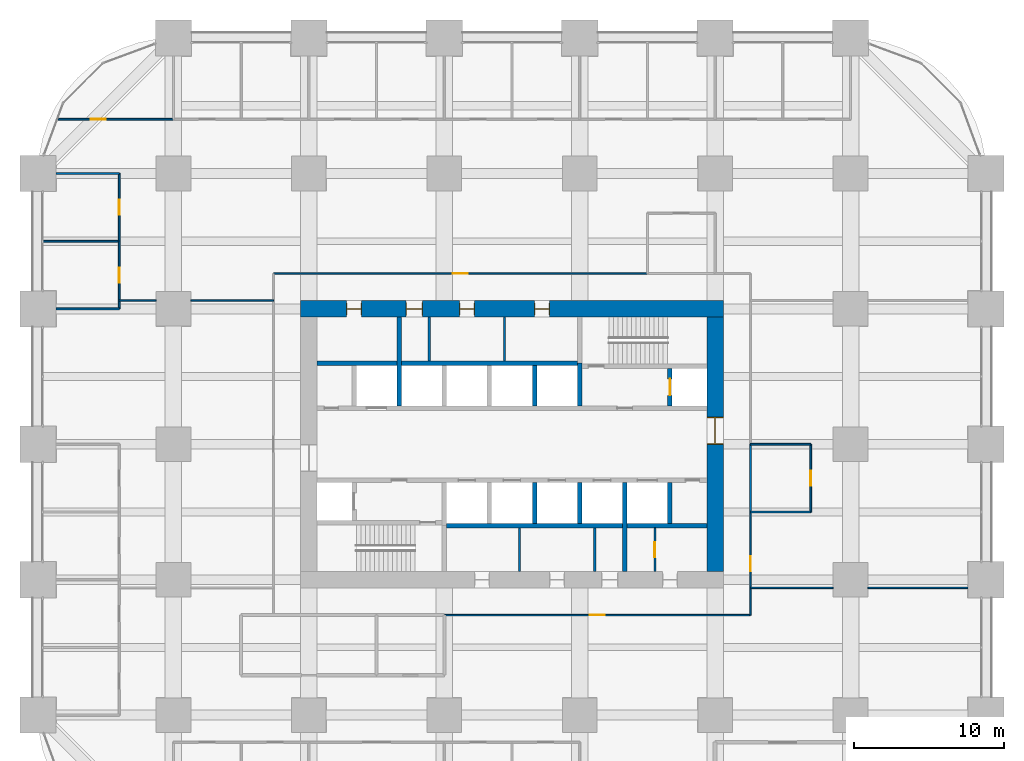
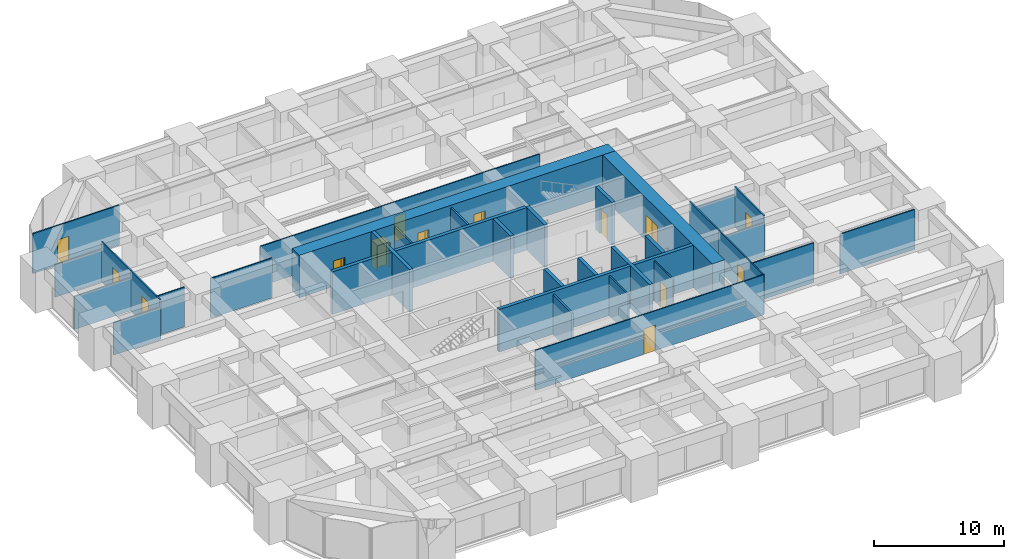
# One storey, part 41 of 44: 34 walls, 14 doors, 14 openings.
"""IFC4 building model written with IfcOpenShell, lengths in metres."""

from ifc_helpers import new_model, si_unit, direction, frame, frame_2d, origin, place, context, subcontext, project, spatial, rectangle, extrude, material, layer, layer_set, type_object, element, fill, save


model = new_model("IFC4")

# Units and contexts
model_context = context("Model", 3, precision=1e-05, world=origin(), true_north=direction((0.0, 1.0)))
body_context = subcontext(model_context, "Body", "Model", "MODEL_VIEW")
ifc_project = project(units=[si_unit("LENGTHUNIT", "METRE"), si_unit("AREAUNIT", "SQUARE_METRE"), si_unit("VOLUMEUNIT", "CUBIC_METRE"), si_unit("PLANEANGLEUNIT", "RADIAN"), si_unit("MASSUNIT", "GRAM", prefix="KILO")], contexts=[model_context])

# Site, building, storey
site_placement = place(None, origin())
site = spatial("IfcSite", under=ifc_project, at=site_placement, CompositionType="ELEMENT")
building_placement = place(site_placement, origin())
building = spatial("IfcBuilding", under=site, at=building_placement, Name="Zorevar Civic Tower", CompositionType="ELEMENT")
storey_placement = place(building_placement, frame((0.0, 0.0, 31.800048828125)))
storey = spatial("IfcBuildingStorey", under=building, at=storey_placement, Name="L07", CompositionType="ELEMENT", Elevation=31.800048828125)

# Wall, openings, doors
ifc_material_1 = material(Name="Concrete C50/60", Category="concrete")
ifc_layer_1 = layer(ifc_material_1, 1.10009765625)
ifc_layer_set_1 = layer_set([ifc_layer_1], Name="Core wall 1100")
wall_type_1 = type_object("IfcWallType", Name="Core wall 1100", PredefinedType="SHEAR", material=ifc_layer_set_1)
wall_1_placement = place(storey_placement, frame((45.550048828125, 36.0, 0.0), z_axis=(0.0, 0.0, 1.0), x_axis=(-1.0, 0.0, 0.0)))
wall_1 = element("IfcWall", 1, at=wall_1_placement, inside=storey, type_object=wall_type_1, Name="Core wall N L07", PredefinedType="SHEAR", context=body_context, shape_type="SweptSolid", body=[
    extrude(rectangle(XDim=28.10009765625, YDim=1.10009765625, at=frame_2d((14.050048828125, 0.0))), origin(), (0.0, 0.0, 1.0), 4.0),
])
opening_1_placement = place(wall_1_placement, frame((11.550048828125, 0.0, 0.0)))
opening_1 = element("IfcOpeningElement", 2, at=opening_1_placement, cuts=wall_1, Name="Opening L07.07", PredefinedType="OPENING", context=body_context, shape_type="SweptSolid", body=[
    extrude(rectangle(XDim=1.0, YDim=2.39990234375, at=frame_2d((0.5, 1.199951171875))), frame((0.0, 0.56005859375, 0.0), z_axis=(0.0, -1.0, 0.0), x_axis=(1.0, 0.0, 0.0)), (0.0, 0.0, 1.0), 1.1201171875),
])
opening_2_placement = place(wall_1_placement, frame((16.550048828125, 0.0, 0.0)))
opening_2 = element("IfcOpeningElement", 3, at=opening_2_placement, cuts=wall_1, Name="Opening L07.08", PredefinedType="OPENING", context=body_context, shape_type="SweptSolid", body=[
    extrude(rectangle(XDim=1.0, YDim=2.39990234375, at=frame_2d((0.5, 1.199951171875))), frame((0.0, 0.56005859375, 0.0), z_axis=(0.0, -1.0, 0.0), x_axis=(1.0, 0.0, 0.0)), (0.0, 0.0, 1.0), 1.1201171875),
])
opening_3_placement = place(wall_1_placement, frame((20.0, 0.0, 0.0)))
opening_3 = element("IfcOpeningElement", 4, at=opening_3_placement, cuts=wall_1, Name="Opening L07.09", PredefinedType="OPENING", context=body_context, shape_type="SweptSolid", body=[
    extrude(rectangle(XDim=1.10009765625, YDim=2.39990234375, at=frame_2d((0.550048828125, 1.199951171875))), frame((0.0, 0.56005859375, 0.0), z_axis=(0.0, -1.0, 0.0), x_axis=(1.0, 0.0, 0.0)), (0.0, 0.0, 1.0), 1.1201171875),
])
opening_4_placement = place(wall_1_placement, frame((24.050048828125, 0.0, 0.0)))
opening_4 = element("IfcOpeningElement", 5, at=opening_4_placement, cuts=wall_1, Name="Opening L07.10", PredefinedType="OPENING", context=body_context, shape_type="SweptSolid", body=[
    extrude(rectangle(XDim=1.0, YDim=2.39990234375, at=frame_2d((0.5, 1.199951171875))), frame((0.0, 0.56005859375, 0.0), z_axis=(0.0, -1.0, 0.0), x_axis=(1.0, 0.0, 0.0)), (0.0, 0.0, 1.0), 1.1201171875),
])
ifc_material_2 = material(Name="Timber door set", Category="wood")
door_type_1 = type_object("IfcDoorType", Name="Door D1 1000x2400", OperationType="SINGLE_SWING_LEFT", PredefinedType="DOOR", material=ifc_material_2)
door_1_placement = place(opening_1_placement, origin())
door_1 = element("IfcDoor", 6, at=door_1_placement, inside=storey, type_object=door_type_1, Name="Door L07 06", OperationType="SINGLE_SWING_RIGHT", OverallHeight=2.39990234375, OverallWidth=1.0, PredefinedType="DOOR", context=body_context, shape_type="SweptSolid", body=[
    extrude(rectangle(XDim=1.0, YDim=2.39990234375, at=frame_2d((0.5, 1.199951171875))), frame((0.0, 0.02490234375, 0.0), z_axis=(0.0, -1.0, 0.0), x_axis=(1.0, 0.0, 0.0)), (0.0, 0.0, 1.0), 0.050048828125),
    extrude(rectangle(XDim=0.04, YDim=2.39990234375, at=frame_2d((0.02001953125, 1.199951171875))), frame((0.0, 0.39990234375, 0.0), z_axis=(0.0, -1.0, 0.0), x_axis=(1.0, 0.0, 0.0)), (0.0, 0.0, 1.0), 0.800048828125),
    extrude(rectangle(XDim=0.04, YDim=2.39990234375, at=frame_2d((0.97998046875, 1.199951171875))), frame((0.0, 0.39990234375, 0.0), z_axis=(0.0, -1.0, 0.0), x_axis=(1.0, 0.0, 0.0)), (0.0, 0.0, 1.0), 0.800048828125),
    extrude(rectangle(XDim=1.0, YDim=0.04, at=frame_2d((0.5, 2.3798828125))), frame((0.0, 0.39990234375, 0.0), z_axis=(0.0, -1.0, 0.0), x_axis=(1.0, 0.0, 0.0)), (0.0, 0.0, 1.0), 0.800048828125),
])
fill(opening_1, door_1)
door_2_placement = place(opening_2_placement, origin())
door_2 = element("IfcDoor", 7, at=door_2_placement, inside=storey, type_object=door_type_1, Name="Door L07 07", OperationType="SINGLE_SWING_LEFT", OverallHeight=2.39990234375, OverallWidth=1.0, PredefinedType="DOOR", context=body_context, shape_type="SweptSolid", body=[
    extrude(rectangle(XDim=1.0, YDim=2.39990234375, at=frame_2d((0.5, 1.199951171875))), frame((0.0, 0.02490234375, 0.0), z_axis=(0.0, -1.0, 0.0), x_axis=(1.0, 0.0, 0.0)), (0.0, 0.0, 1.0), 0.050048828125),
    extrude(rectangle(XDim=0.04, YDim=2.39990234375, at=frame_2d((0.02001953125, 1.199951171875))), frame((0.0, 0.39990234375, 0.0), z_axis=(0.0, -1.0, 0.0), x_axis=(1.0, 0.0, 0.0)), (0.0, 0.0, 1.0), 0.800048828125),
    extrude(rectangle(XDim=0.04, YDim=2.39990234375, at=frame_2d((0.97998046875, 1.199951171875))), frame((0.0, 0.39990234375, 0.0), z_axis=(0.0, -1.0, 0.0), x_axis=(1.0, 0.0, 0.0)), (0.0, 0.0, 1.0), 0.800048828125),
    extrude(rectangle(XDim=1.0, YDim=0.04, at=frame_2d((0.5, 2.3798828125))), frame((0.0, 0.39990234375, 0.0), z_axis=(0.0, -1.0, 0.0), x_axis=(1.0, 0.0, 0.0)), (0.0, 0.0, 1.0), 0.800048828125),
])
fill(opening_2, door_2)
door_3_placement = place(opening_4_placement, origin())
door_3 = element("IfcDoor", 8, at=door_3_placement, inside=storey, type_object=door_type_1, Name="Door L07 09", OperationType="SINGLE_SWING_LEFT", OverallHeight=2.39990234375, OverallWidth=1.0, PredefinedType="DOOR", context=body_context, shape_type="SweptSolid", body=[
    extrude(rectangle(XDim=1.0, YDim=2.39990234375, at=frame_2d((0.5, 1.199951171875))), frame((0.0, 0.02490234375, 0.0), z_axis=(0.0, -1.0, 0.0), x_axis=(1.0, 0.0, 0.0)), (0.0, 0.0, 1.0), 0.050048828125),
    extrude(rectangle(XDim=0.04, YDim=2.39990234375, at=frame_2d((0.02001953125, 1.199951171875))), frame((0.0, 0.39990234375, 0.0), z_axis=(0.0, -1.0, 0.0), x_axis=(1.0, 0.0, 0.0)), (0.0, 0.0, 1.0), 0.800048828125),
    extrude(rectangle(XDim=0.04, YDim=2.39990234375, at=frame_2d((0.97998046875, 1.199951171875))), frame((0.0, 0.39990234375, 0.0), z_axis=(0.0, -1.0, 0.0), x_axis=(1.0, 0.0, 0.0)), (0.0, 0.0, 1.0), 0.800048828125),
    extrude(rectangle(XDim=1.0, YDim=0.04, at=frame_2d((0.5, 2.3798828125))), frame((0.0, 0.39990234375, 0.0), z_axis=(0.0, -1.0, 0.0), x_axis=(1.0, 0.0, 0.0)), (0.0, 0.0, 1.0), 0.800048828125),
])
fill(opening_4, door_3)
ifc_material_3 = material(Name="Timber door set", Category="wood")
door_type_2 = type_object("IfcDoorType", Name="Door D5 1100x2400", OperationType="SINGLE_SWING_LEFT", PredefinedType="DOOR", material=ifc_material_3)
door_4_placement = place(opening_3_placement, origin())
door_4 = element("IfcDoor", 9, at=door_4_placement, inside=storey, type_object=door_type_2, Name="Door L07 08", OperationType="SINGLE_SWING_LEFT", OverallHeight=2.39990234375, OverallWidth=1.10009765625, PredefinedType="DOOR", context=body_context, shape_type="SweptSolid", body=[
    extrude(rectangle(XDim=1.10009765625, YDim=2.39990234375, at=frame_2d((0.550048828125, 1.199951171875))), frame((0.0, 0.02490234375, 0.0), z_axis=(0.0, -1.0, 0.0), x_axis=(1.0, 0.0, 0.0)), (0.0, 0.0, 1.0), 0.050048828125),
    extrude(rectangle(XDim=0.04, YDim=2.39990234375, at=frame_2d((0.02001953125, 1.199951171875))), frame((0.0, 0.43994140625, 0.0), z_axis=(0.0, -1.0, 0.0), x_axis=(1.0, 0.0, 0.0)), (0.0, 0.0, 1.0), 0.880126953125),
    extrude(rectangle(XDim=0.04, YDim=2.39990234375, at=frame_2d((1.080078125, 1.199951171875))), frame((0.0, 0.43994140625, 0.0), z_axis=(0.0, -1.0, 0.0), x_axis=(1.0, 0.0, 0.0)), (0.0, 0.0, 1.0), 0.880126953125),
    extrude(rectangle(XDim=1.10009765625, YDim=0.04, at=frame_2d((0.550048828125, 2.3798828125))), frame((0.0, 0.43994140625, 0.0), z_axis=(0.0, -1.0, 0.0), x_axis=(1.0, 0.0, 0.0)), (0.0, 0.0, 1.0), 0.880126953125),
])
fill(opening_3, door_4)

# Wall, opening, door
wall_2_placement = place(storey_placement, frame((45.0, 18.550048828125, 0.0), z_axis=(0.0, 0.0, 1.0), x_axis=(0.0, 1.0, 0.0)))
wall_2 = element("IfcWall", 10, at=wall_2_placement, inside=storey, type_object=wall_type_1, Name="Core wall E L07", PredefinedType="SHEAR", context=body_context, shape_type="SweptSolid", body=[
    extrude(rectangle(XDim=16.89990234375, YDim=1.10009765625, at=frame_2d((8.449951171875, 0.0))), origin(), (0.0, 0.0, 1.0), 4.0),
])
opening_5_placement = place(wall_2_placement, frame((8.449951171875, 0.0, 0.0)))
opening_5 = element("IfcOpeningElement", 11, at=opening_5_placement, cuts=wall_2, Name="Opening L07.02", PredefinedType="OPENING", context=body_context, shape_type="SweptSolid", body=[
    extrude(rectangle(XDim=1.800048828125, YDim=2.39990234375, at=frame_2d((0.89990234375, 1.199951171875))), frame((0.0, 0.56005859375, 0.0), z_axis=(0.0, -1.0, 0.0), x_axis=(1.0, 0.0, 0.0)), (0.0, 0.0, 1.0), 1.1201171875),
])
ifc_material_4 = material(Name="Steel door set", Category="steel")
door_type_3 = type_object("IfcDoorType", Name="Fire door FD2 1800x2400", OperationType="DOUBLE_DOOR_DOUBLE_SWING", PredefinedType="DOOR", material=ifc_material_4)
door_5_placement = place(opening_5_placement, origin())
door_5 = element("IfcDoor", 12, at=door_5_placement, inside=storey, type_object=door_type_3, Name="Door L07 01", OperationType="DOUBLE_DOOR_DOUBLE_SWING", OverallHeight=2.39990234375, OverallWidth=1.800048828125, PredefinedType="DOOR", context=body_context, shape_type="SweptSolid", body=[
    extrude(rectangle(XDim=1.800048828125, YDim=2.39990234375, at=frame_2d((0.89990234375, 1.199951171875))), frame((0.0, 0.030029296875, 0.0), z_axis=(0.0, -1.0, 0.0), x_axis=(1.0, 0.0, 0.0)), (0.0, 0.0, 1.0), 0.06005859375),
    extrude(rectangle(XDim=0.04, YDim=2.39990234375, at=frame_2d((0.02001953125, 1.199951171875))), frame((0.0, 0.5498046875, 0.0), z_axis=(0.0, -1.0, 0.0), x_axis=(1.0, 0.0, 0.0)), (0.0, 0.0, 1.0), 1.099609375),
    extrude(rectangle(XDim=0.04, YDim=2.39990234375, at=frame_2d((1.780029296875, 1.199951171875))), frame((0.0, 0.5498046875, 0.0), z_axis=(0.0, -1.0, 0.0), x_axis=(1.0, 0.0, 0.0)), (0.0, 0.0, 1.0), 1.099609375),
    extrude(rectangle(XDim=1.800048828125, YDim=0.04, at=frame_2d((0.89990234375, 2.3798828125))), frame((0.0, 0.5498046875, 0.0), z_axis=(0.0, -1.0, 0.0), x_axis=(1.0, 0.0, 0.0)), (0.0, 0.0, 1.0), 1.099609375),
])
fill(opening_5, door_5)

ifc_material_5 = material(Name="Laminated glass in black aluminium frame", Category="aluminium")
ifc_layer_2 = layer(ifc_material_5, 0.10009765625)
ifc_layer_set_2 = layer_set([ifc_layer_2], Name="Glazed partition 100")
wall_type_2 = type_object("IfcWallType", Name="Glazed partition 100", PredefinedType="PARTITIONING", material=ifc_layer_set_2)
wall_3_placement = place(storey_placement, frame((27.0, 15.64990234375, 0.0), z_axis=(0.0, 0.0, 1.0), x_axis=(1.0, 0.0, 0.0)))
wall_3 = element("IfcWall", 13, at=wall_3_placement, inside=storey, type_object=wall_type_2, Name="Glazed partition 100 L07", PredefinedType="PARTITIONING", context=body_context, shape_type="SweptSolid", body=[
    extrude(rectangle(XDim=20.35009765625, YDim=0.10009765625, at=frame_2d((10.175048828125, 0.0))), origin(), (0.0, 0.0, 1.0), 3.75),
])
opening_6_placement = place(wall_3_placement, frame((9.675048828125, 0.0, 0.0)))
opening_6 = element("IfcOpeningElement", 14, at=opening_6_placement, cuts=wall_3, Name="Opening L07.26", PredefinedType="OPENING", context=body_context, shape_type="SweptSolid", body=[
    extrude(rectangle(XDim=1.0, YDim=2.39990234375, at=frame_2d((0.5, 1.199951171875))), frame((0.0, 0.06005859375, 0.0), z_axis=(0.0, -1.0, 0.0), x_axis=(1.0, 0.0, 0.0)), (0.0, 0.0, 1.0), 0.1201171875),
])
ifc_material_6 = material(Name="Timber door set", Category="wood")
door_type_4 = type_object("IfcDoorType", Name="Glazed door GD1 1000x2400", OperationType="SINGLE_SWING_LEFT", PredefinedType="DOOR", material=ifc_material_6)
door_6_placement = place(opening_6_placement, origin())
door_6 = element("IfcDoor", 15, at=door_6_placement, inside=storey, type_object=door_type_4, Name="Door L07 D1", OperationType="SINGLE_SWING_LEFT", OverallHeight=2.39990234375, OverallWidth=1.0, PredefinedType="DOOR", context=body_context, shape_type="SweptSolid", body=[
    extrude(rectangle(XDim=1.0, YDim=2.39990234375, at=frame_2d((0.5, 1.199951171875))), frame((0.0, 0.02001953125, 0.0), z_axis=(0.0, -1.0, 0.0), x_axis=(1.0, 0.0, 0.0)), (0.0, 0.0, 1.0), 0.0400390625),
])
fill(opening_6, door_6)

# Walls
wall_4_placement = place(storey_placement, frame((47.35009765625, 17.449951171875, 0.0), z_axis=(0.0, 0.0, 1.0), x_axis=(1.0, 0.0, 0.0)))
element("IfcWall", 16, at=wall_4_placement, inside=storey, type_object=wall_type_2, Name="Glazed partition 100 L07", PredefinedType="PARTITIONING", context=body_context, shape_type="SweptSolid", body=[
    extrude(rectangle(XDim=5.5, YDim=0.10009765625, at=frame_2d((2.75, 0.0))), origin(), (0.0, 0.0, 1.0), 3.75),
])
wall_5_placement = place(storey_placement, frame((55.14990234375, 17.449951171875, 0.0), z_axis=(0.0, 0.0, 1.0), x_axis=(1.0, 0.0, 0.0)))
element("IfcWall", 17, at=wall_5_placement, inside=storey, type_object=wall_type_2, Name="Glazed partition 100 L07", PredefinedType="PARTITIONING", context=body_context, shape_type="SweptSolid", body=[
    extrude(rectangle(XDim=6.650146484375, YDim=0.10009765625, at=frame_2d((3.3251953125, 0.0))), origin(), (0.0, 0.0, 1.0), 3.75),
])
wall_6_placement = place(storey_placement, frame((5.389892578125, 36.550048828125, 0.0), z_axis=(0.0, 0.0, 1.0), x_axis=(1.0, 0.0, 0.0)))
element("IfcWall", 18, at=wall_6_placement, inside=storey, type_object=wall_type_2, Name="Glazed partition 100 L07", PredefinedType="PARTITIONING", context=body_context, shape_type="SweptSolid", body=[
    extrude(rectangle(XDim=2.460205078125, YDim=0.10009765625, at=frame_2d((1.22998046875, 0.0))), origin(), (0.0, 0.0, 1.0), 3.75),
])
wall_7_placement = place(storey_placement, frame((10.14990234375, 36.550048828125, 0.0), z_axis=(0.0, 0.0, 1.0), x_axis=(1.0, 0.0, 0.0)))
element("IfcWall", 19, at=wall_7_placement, inside=storey, type_object=wall_type_2, Name="Glazed partition 100 L07", PredefinedType="PARTITIONING", context=body_context, shape_type="SweptSolid", body=[
    extrude(rectangle(XDim=5.5, YDim=0.10009765625, at=frame_2d((2.75, 0.0))), origin(), (0.0, 0.0, 1.0), 3.75),
])

# Wall, opening, door
wall_8_placement = place(storey_placement, frame((15.64990234375, 38.35009765625, 0.0), z_axis=(0.0, 0.0, 1.0), x_axis=(1.0, 0.0, 0.0)))
wall_8 = element("IfcWall", 20, at=wall_8_placement, inside=storey, type_object=wall_type_2, Name="Glazed partition 100 L07", PredefinedType="PARTITIONING", context=body_context, shape_type="SweptSolid", body=[
    extrude(rectangle(XDim=24.85009765625, YDim=0.10009765625, at=frame_2d((12.425048828125, 0.0))), origin(), (0.0, 0.0, 1.0), 3.75),
])
opening_7_placement = place(wall_8_placement, frame((11.925048828125, 0.0, 0.0)))
opening_7 = element("IfcOpeningElement", 21, at=opening_7_placement, cuts=wall_8, Name="Opening L07.27", PredefinedType="OPENING", context=body_context, shape_type="SweptSolid", body=[
    extrude(rectangle(XDim=1.0, YDim=2.39990234375, at=frame_2d((0.5, 1.199951171875))), frame((0.0, 0.06005859375, 0.0), z_axis=(0.0, -1.0, 0.0), x_axis=(1.0, 0.0, 0.0)), (0.0, 0.0, 1.0), 0.1201171875),
])
door_7_placement = place(opening_7_placement, origin())
door_7 = element("IfcDoor", 22, at=door_7_placement, inside=storey, type_object=door_type_4, Name="Door L07 D1", OperationType="SINGLE_SWING_LEFT", OverallHeight=2.39990234375, OverallWidth=1.0, PredefinedType="DOOR", context=body_context, shape_type="SweptSolid", body=[
    extrude(rectangle(XDim=1.0, YDim=2.39990234375, at=frame_2d((0.5, 1.199951171875))), frame((0.0, 0.02001953125, 0.0), z_axis=(0.0, -1.0, 0.0), x_axis=(1.0, 0.0, 0.0)), (0.0, 0.0, 1.0), 0.0400390625),
])
fill(opening_7, door_7)

wall_9_placement = place(storey_placement, frame((47.35009765625, 15.64990234375, 0.0), z_axis=(0.0, 0.0, 1.0), x_axis=(0.0, 1.0, 0.0)))
wall_9 = element("IfcWall", 23, at=wall_9_placement, inside=storey, type_object=wall_type_2, Name="Glazed partition 100 L07", PredefinedType="PARTITIONING", context=body_context, shape_type="SweptSolid", body=[
    extrude(rectangle(XDim=6.85009765625, YDim=0.10009765625, at=frame_2d((3.425048828125, 0.0))), origin(), (0.0, 0.0, 1.0), 3.75),
])
opening_8_placement = place(wall_9_placement, frame((2.925048828125, 0.0, 0.0)))
opening_8 = element("IfcOpeningElement", 24, at=opening_8_placement, cuts=wall_9, Name="Opening L07.47", PredefinedType="OPENING", context=body_context, shape_type="SweptSolid", body=[
    extrude(rectangle(XDim=1.0, YDim=2.39990234375, at=frame_2d((0.5, 1.199951171875))), frame((0.0, 0.06005859375, 0.0), z_axis=(0.0, -1.0, 0.0), x_axis=(1.0, 0.0, 0.0)), (0.0, 0.0, 1.0), 0.1201171875),
])
door_8_placement = place(opening_8_placement, origin())
door_8 = element("IfcDoor", 25, at=door_8_placement, inside=storey, type_object=door_type_4, Name="Door L07 D1", OperationType="SINGLE_SWING_LEFT", OverallHeight=2.39990234375, OverallWidth=1.0, PredefinedType="DOOR", context=body_context, shape_type="SweptSolid", body=[
    extrude(rectangle(XDim=1.0, YDim=2.39990234375, at=frame_2d((0.5, 1.199951171875))), frame((0.0, 0.02001953125, 0.0), z_axis=(0.0, -1.0, 0.0), x_axis=(1.0, 0.0, 0.0)), (0.0, 0.0, 1.0), 0.0400390625),
])
fill(opening_8, door_8)

ifc_material_7 = material(Name="Concrete C40/50", Category="concrete")
ifc_layer_3 = layer(ifc_material_7, 0.300048828125)
ifc_layer_set_3 = layer_set([ifc_layer_3], Name="Inner core wall 300")
wall_type_3 = type_object("IfcWallType", Name="Inner core wall 300", PredefinedType="SHEAR", material=ifc_layer_set_3)
wall_10_placement = place(storey_placement, frame((42.0, 29.550048828125, 0.0), z_axis=(0.0, 0.0, 1.0), x_axis=(0.0, 1.0, 0.0)))
wall_10 = element("IfcWall", 26, at=wall_10_placement, inside=storey, type_object=wall_type_3, Name="Inner core wall N02 L07", PredefinedType="SHEAR", context=body_context, shape_type="SweptSolid", body=[
    extrude(rectangle(XDim=2.5, YDim=0.300048828125, at=frame_2d((1.25, 0.0))), origin(), (0.0, 0.0, 1.0), 4.0),
])
opening_9_placement = place(wall_10_placement, frame((0.699951171875, 0.0, 0.0)))
opening_9 = element("IfcOpeningElement", 27, at=opening_9_placement, cuts=wall_10, Name="Opening L07.FL2", PredefinedType="OPENING", context=body_context, shape_type="SweptSolid", body=[
    extrude(rectangle(XDim=1.10009765625, YDim=2.39990234375, at=frame_2d((0.550048828125, 1.199951171875))), frame((0.0, 0.159912109375, 0.0), z_axis=(0.0, -1.0, 0.0), x_axis=(1.0, 0.0, 0.0)), (0.0, 0.0, 1.0), 0.320068359375),
])
ifc_material_8 = material(Name="Steel door set", Category="steel")
door_type_5 = type_object("IfcDoorType", Name="Firefighting lift landing door LD3 1100x2400", OperationType="DOUBLE_DOOR_SLIDING", PredefinedType="DOOR", material=ifc_material_8)
door_9_placement = place(opening_9_placement, origin())
door_9 = element("IfcDoor", 28, at=door_9_placement, inside=storey, type_object=door_type_5, Name="Landing door FL2 L07", OperationType="DOUBLE_DOOR_SLIDING", OverallHeight=2.39990234375, OverallWidth=1.10009765625, PredefinedType="DOOR", context=body_context, shape_type="SweptSolid", body=[
    extrude(rectangle(XDim=1.10009765625, YDim=2.39990234375, at=frame_2d((0.550048828125, 1.199951171875))), frame((0.0, 0.030029296875, 0.0), z_axis=(0.0, -1.0, 0.0), x_axis=(1.0, 0.0, 0.0)), (0.0, 0.0, 1.0), 0.06005859375),
])
fill(opening_9, door_9)

# Walls
for number, where, z_axis, x_axis, name in (
    (29, (27.14990234375, 21.60009765625, 0.0), (0.0, 0.0, 1.0), (1.0, 0.0, 0.0), "Inner core wall S04 L07"),
    (30, (18.550048828125, 32.39990234375, 0.0), (0.0, 0.0, 1.0), (1.0, 0.0, 0.0), "Inner core wall N04 L07"),
):
    element("IfcWall", number, at=place(storey_placement, frame(where, z_axis=z_axis, x_axis=x_axis)), inside=storey, type_object=wall_type_3, Name=name, PredefinedType="SHEAR", context=body_context, shape_type="SweptSolid", body=[
        extrude(rectangle(XDim=17.300048828125, YDim=0.300048828125, at=frame_2d((8.64990234375, 0.0))), origin(), (0.0, 0.0, 1.0), 4.0),
    ])
for number, where, z_axis, x_axis, name in (
    (31, (33.0, 29.550048828125, 0.0), (0.0, 0.0, 1.0), (0.0, 1.0, 0.0), "Inner core wall N05 L07"),
    (32, (33.0, 21.75, 0.0), (0.0, 0.0, 1.0), (0.0, 1.0, 0.0), "Inner core wall S06 L07"),
    (33, (36.0, 21.75, 0.0), (0.0, 0.0, 1.0), (0.0, 1.0, 0.0), "Inner core wall S07 L07"),
):
    element("IfcWall", number, at=place(storey_placement, frame(where, z_axis=z_axis, x_axis=x_axis)), inside=storey, type_object=wall_type_3, Name=name, PredefinedType="SHEAR", context=body_context, shape_type="SweptSolid", body=[
        extrude(rectangle(XDim=2.699951171875, YDim=0.300048828125, at=frame_2d((1.35009765625, 0.0))), origin(), (0.0, 0.0, 1.0), 4.0),
    ])
for number, where, z_axis, x_axis, name in (
    (34, (39.0, 18.550048828125, 0.0), (0.0, 0.0, 1.0), (0.0, 1.0, 0.0), "Inner core wall S08 L07"),
    (35, (24.0, 29.550048828125, 0.0), (0.0, 0.0, 1.0), (0.0, 1.0, 0.0), "Inner core wall N08 L07"),
):
    element("IfcWall", number, at=place(storey_placement, frame(where, z_axis=z_axis, x_axis=x_axis)), inside=storey, type_object=wall_type_3, Name=name, PredefinedType="SHEAR", context=body_context, shape_type="SweptSolid", body=[
        extrude(rectangle(XDim=5.89990234375, YDim=0.300048828125, at=frame_2d((2.949951171875, 0.0))), origin(), (0.0, 0.0, 1.0), 4.0),
    ])
wall_11_placement = place(storey_placement, frame((42.0, 21.75, 0.0), z_axis=(0.0, 0.0, 1.0), x_axis=(0.0, 1.0, 0.0)))
element("IfcWall", 36, at=wall_11_placement, inside=storey, type_object=wall_type_3, Name="Inner core wall S09 L07", PredefinedType="SHEAR", context=body_context, shape_type="SweptSolid", body=[
    extrude(rectangle(XDim=2.699951171875, YDim=0.300048828125, at=frame_2d((1.35009765625, 0.0))), origin(), (0.0, 0.0, 1.0), 4.0),
])
wall_12_placement = place(storey_placement, frame((36.0, 29.550048828125, 0.0), z_axis=(0.0, 0.0, 1.0), x_axis=(0.0, 1.0, 0.0)))
element("IfcWall", 37, at=wall_12_placement, inside=storey, type_object=wall_type_3, Name="Inner core wall N10 L07", PredefinedType="SHEAR", context=body_context, shape_type="SweptSolid", body=[
    extrude(rectangle(XDim=2.849853515625, YDim=0.300048828125, at=frame_2d((1.4248046875, 0.0))), origin(), (0.0, 0.0, 1.0), 4.0),
])
ifc_material_9 = material(Name="Gypsum board on steel studs", Category="steel")
ifc_layer_4 = layer(ifc_material_9, 0.1201171875)
ifc_layer_set_4 = layer_set([ifc_layer_4], Name="Partition 120")
wall_type_4 = type_object("IfcWallType", Name="Partition 120", PredefinedType="PARTITIONING", material=ifc_layer_set_4)
wall_13_placement = place(storey_placement, frame((47.35009765625, 22.5, 0.0), z_axis=(0.0, 0.0, 1.0), x_axis=(1.0, 0.0, 0.0)))
element("IfcWall", 38, at=wall_13_placement, inside=storey, type_object=wall_type_4, Name="Partition 120 L07", PredefinedType="PARTITIONING", context=body_context, shape_type="SweptSolid", body=[
    extrude(rectangle(XDim=4.0, YDim=0.1201171875, at=frame_2d((2.0, 0.0))), origin(), (0.0, 0.0, 1.0), 3.099853515625),
])
wall_14_placement = place(storey_placement, frame((47.35009765625, 27.0, 0.0), z_axis=(0.0, 0.0, 1.0), x_axis=(1.0, 0.0, 0.0)))
element("IfcWall", 39, at=wall_14_placement, inside=storey, type_object=wall_type_4, Name="Partition 120 L07", PredefinedType="PARTITIONING", context=body_context, shape_type="SweptSolid", body=[
    extrude(rectangle(XDim=4.0, YDim=0.1201171875, at=frame_2d((2.0, 0.0))), origin(), (0.0, 0.0, 1.0), 3.050048828125),
])
wall_15_placement = place(storey_placement, frame((1.199951171875, 36.0, 0.0), z_axis=(0.0, 0.0, 1.0), x_axis=(1.0, 0.0, 0.0)))
element("IfcWall", 40, at=wall_15_placement, inside=storey, type_object=wall_type_4, Name="Partition 120 L07", PredefinedType="PARTITIONING", context=body_context, shape_type="SweptSolid", body=[
    extrude(rectangle(XDim=4.199951171875, YDim=0.1201171875, at=frame_2d((2.10009765625, 0.0))), origin(), (0.0, 0.0, 1.0), 3.050048828125),
])
wall_16_placement = place(storey_placement, frame((0.31005859375, 40.5, 0.0), z_axis=(0.0, 0.0, 1.0), x_axis=(1.0, 0.0, 0.0)))
element("IfcWall", 41, at=wall_16_placement, inside=storey, type_object=wall_type_4, Name="Partition 120 L07", PredefinedType="PARTITIONING", context=body_context, shape_type="SweptSolid", body=[
    extrude(rectangle(XDim=5.08984375, YDim=0.1201171875, at=frame_2d((2.544921875, 0.0))), origin(), (0.0, 0.0, 1.0), 3.099853515625),
])
wall_17_placement = place(storey_placement, frame((1.199951171875, 45.0, 0.0), z_axis=(0.0, 0.0, 1.0), x_axis=(1.0, 0.0, 0.0)))
element("IfcWall", 42, at=wall_17_placement, inside=storey, type_object=wall_type_4, Name="Partition 120 L07", PredefinedType="PARTITIONING", context=body_context, shape_type="SweptSolid", body=[
    extrude(rectangle(XDim=4.199951171875, YDim=0.1201171875, at=frame_2d((2.10009765625, 0.0))), origin(), (0.0, 0.0, 1.0), 3.050048828125),
])

# Wall, opening, door
wall_18_placement = place(storey_placement, frame((1.3095703125, 48.60009765625, 0.0), z_axis=(0.0, 0.0, 1.0), x_axis=(1.0, 0.0, 0.0)))
wall_18 = element("IfcWall", 43, at=wall_18_placement, inside=storey, type_object=wall_type_4, Name="Partition 120 L07", PredefinedType="PARTITIONING", context=body_context, shape_type="SweptSolid", body=[
    extrude(rectangle(XDim=7.6904296875, YDim=0.1201171875, at=frame_2d((3.84521484375, 0.0))), origin(), (0.0, 0.0, 1.0), 3.75),
])
opening_10_placement = place(wall_18_placement, frame((2.1904296875, 0.0, 0.0)))
opening_10 = element("IfcOpeningElement", 44, at=opening_10_placement, cuts=wall_18, Name="Opening L07.39", PredefinedType="OPENING", context=body_context, shape_type="SweptSolid", body=[
    extrude(rectangle(XDim=1.0, YDim=2.39990234375, at=frame_2d((0.5, 1.199951171875))), frame((0.0, 0.070068359375, 0.0), z_axis=(0.0, -1.0, 0.0), x_axis=(1.0, 0.0, 0.0)), (0.0, 0.0, 1.0), 0.14013671875),
])
door_10_placement = place(opening_10_placement, origin())
door_10 = element("IfcDoor", 45, at=door_10_placement, inside=storey, type_object=door_type_1, Name="Door L07 D1", OperationType="SINGLE_SWING_LEFT", OverallHeight=2.39990234375, OverallWidth=1.0, PredefinedType="DOOR", context=body_context, shape_type="SweptSolid", body=[
    extrude(rectangle(XDim=1.0, YDim=2.39990234375, at=frame_2d((0.5, 1.199951171875))), frame((0.0, 0.02490234375, 0.0), z_axis=(0.0, -1.0, 0.0), x_axis=(1.0, 0.0, 0.0)), (0.0, 0.0, 1.0), 0.050048828125),
])
fill(opening_10, door_10)

wall_19_placement = place(storey_placement, frame((5.39990234375, 36.0, 0.0), z_axis=(0.0, 0.0, 1.0), x_axis=(0.0, 1.0, 0.0)))
wall_19 = element("IfcWall", 46, at=wall_19_placement, inside=storey, type_object=wall_type_4, Name="Partition 120 L07", PredefinedType="PARTITIONING", context=body_context, shape_type="SweptSolid", body=[
    extrude(rectangle(XDim=4.5, YDim=0.1201171875, at=frame_2d((2.25, 0.0))), origin(), (0.0, 0.0, 1.0), 3.75),
])
opening_11_placement = place(wall_19_placement, frame((1.75, 0.0, 0.0)))
opening_11 = element("IfcOpeningElement", 47, at=opening_11_placement, cuts=wall_19, Name="Opening L07.44", PredefinedType="OPENING", context=body_context, shape_type="SweptSolid", body=[
    extrude(rectangle(XDim=1.0, YDim=2.39990234375, at=frame_2d((0.5, 1.199951171875))), frame((0.0, 0.070068359375, 0.0), z_axis=(0.0, -1.0, 0.0), x_axis=(1.0, 0.0, 0.0)), (0.0, 0.0, 1.0), 0.14013671875),
])
door_11_placement = place(opening_11_placement, origin())
door_11 = element("IfcDoor", 48, at=door_11_placement, inside=storey, type_object=door_type_1, Name="Door L07 D1", OperationType="SINGLE_SWING_LEFT", OverallHeight=2.39990234375, OverallWidth=1.0, PredefinedType="DOOR", context=body_context, shape_type="SweptSolid", body=[
    extrude(rectangle(XDim=1.0, YDim=2.39990234375, at=frame_2d((0.5, 1.199951171875))), frame((0.0, 0.02490234375, 0.0), z_axis=(0.0, -1.0, 0.0), x_axis=(1.0, 0.0, 0.0)), (0.0, 0.0, 1.0), 0.050048828125),
])
fill(opening_11, door_11)

wall_20_placement = place(storey_placement, frame((5.39990234375, 40.5, 0.0), z_axis=(0.0, 0.0, 1.0), x_axis=(0.0, 1.0, 0.0)))
wall_20 = element("IfcWall", 49, at=wall_20_placement, inside=storey, type_object=wall_type_4, Name="Partition 120 L07", PredefinedType="PARTITIONING", context=body_context, shape_type="SweptSolid", body=[
    extrude(rectangle(XDim=4.5, YDim=0.1201171875, at=frame_2d((2.25, 0.0))), origin(), (0.0, 0.0, 1.0), 3.75),
])
opening_12_placement = place(wall_20_placement, frame((1.75, 0.0, 0.0)))
opening_12 = element("IfcOpeningElement", 50, at=opening_12_placement, cuts=wall_20, Name="Opening L07.45", PredefinedType="OPENING", context=body_context, shape_type="SweptSolid", body=[
    extrude(rectangle(XDim=1.0, YDim=2.39990234375, at=frame_2d((0.5, 1.199951171875))), frame((0.0, 0.070068359375, 0.0), z_axis=(0.0, -1.0, 0.0), x_axis=(1.0, 0.0, 0.0)), (0.0, 0.0, 1.0), 0.14013671875),
])
door_12_placement = place(opening_12_placement, origin())
door_12 = element("IfcDoor", 51, at=door_12_placement, inside=storey, type_object=door_type_1, Name="Door L07 D1", OperationType="SINGLE_SWING_RIGHT", OverallHeight=2.39990234375, OverallWidth=1.0, PredefinedType="DOOR", context=body_context, shape_type="SweptSolid", body=[
    extrude(rectangle(XDim=1.0, YDim=2.39990234375, at=frame_2d((0.5, 1.199951171875))), frame((0.0, 0.02490234375, 0.0), z_axis=(0.0, -1.0, 0.0), x_axis=(1.0, 0.0, 0.0)), (0.0, 0.0, 1.0), 0.050048828125),
])
fill(opening_12, door_12)

# Wall
wall_21_placement = place(storey_placement, frame((47.35009765625, 22.5, 0.0), z_axis=(0.0, 0.0, 1.0), x_axis=(0.0, 1.0, 0.0)))
element("IfcWall", 52, at=wall_21_placement, inside=storey, type_object=wall_type_4, Name="Partition 120 L07", PredefinedType="PARTITIONING", context=body_context, shape_type="SweptSolid", body=[
    extrude(rectangle(XDim=4.5, YDim=0.1201171875, at=frame_2d((2.25, 0.0))), origin(), (0.0, 0.0, 1.0), 3.75),
])

# Wall, opening, door
wall_22_placement = place(storey_placement, frame((51.35009765625, 22.5, 0.0), z_axis=(0.0, 0.0, 1.0), x_axis=(0.0, 1.0, 0.0)))
wall_22 = element("IfcWall", 53, at=wall_22_placement, inside=storey, type_object=wall_type_4, Name="Partition 120 L07", PredefinedType="PARTITIONING", context=body_context, shape_type="SweptSolid", body=[
    extrude(rectangle(XDim=4.5, YDim=0.1201171875, at=frame_2d((2.25, 0.0))), origin(), (0.0, 0.0, 1.0), 3.75),
])
opening_13_placement = place(wall_22_placement, frame((1.75, 0.0, 0.0)))
opening_13 = element("IfcOpeningElement", 54, at=opening_13_placement, cuts=wall_22, Name="Opening L07.48", PredefinedType="OPENING", context=body_context, shape_type="SweptSolid", body=[
    extrude(rectangle(XDim=1.0, YDim=2.39990234375, at=frame_2d((0.5, 1.199951171875))), frame((0.0, 0.070068359375, 0.0), z_axis=(0.0, -1.0, 0.0), x_axis=(1.0, 0.0, 0.0)), (0.0, 0.0, 1.0), 0.14013671875),
])
door_13_placement = place(opening_13_placement, origin())
door_13 = element("IfcDoor", 55, at=door_13_placement, inside=storey, type_object=door_type_1, Name="Door L07 D1", OperationType="SINGLE_SWING_LEFT", OverallHeight=2.39990234375, OverallWidth=1.0, PredefinedType="DOOR", context=body_context, shape_type="SweptSolid", body=[
    extrude(rectangle(XDim=1.0, YDim=2.39990234375, at=frame_2d((0.5, 1.199951171875))), frame((0.0, 0.02490234375, 0.0), z_axis=(0.0, -1.0, 0.0), x_axis=(1.0, 0.0, 0.0)), (0.0, 0.0, 1.0), 0.050048828125),
])
fill(opening_13, door_13)

wall_23_placement = place(storey_placement, frame((41.0, 18.550048828125, 0.0), z_axis=(0.0, 0.0, 1.0), x_axis=(0.0, 1.0, 0.0)))
wall_23 = element("IfcWall", 56, at=wall_23_placement, inside=storey, type_object=wall_type_4, Name="Partition L07", PredefinedType="PARTITIONING", context=body_context, shape_type="SweptSolid", body=[
    extrude(rectangle(XDim=2.89990234375, YDim=0.1201171875, at=frame_2d((1.449951171875, 0.0))), origin(), (0.0, 0.0, 1.0), 3.75),
])
opening_14_placement = place(wall_23_placement, frame((0.949951171875, 0.0, 0.0)))
opening_14 = element("IfcOpeningElement", 57, at=opening_14_placement, cuts=wall_23, Name="Opening L07.49", PredefinedType="OPENING", context=body_context, shape_type="SweptSolid", body=[
    extrude(rectangle(XDim=1.0, YDim=2.39990234375, at=frame_2d((0.5, 1.199951171875))), frame((0.0, 0.070068359375, 0.0), z_axis=(0.0, -1.0, 0.0), x_axis=(1.0, 0.0, 0.0)), (0.0, 0.0, 1.0), 0.14013671875),
])
ifc_material_10 = material(Name="Steel door set", Category="steel")
door_type_6 = type_object("IfcDoorType", Name="Fire door FD1 1000x2400", OperationType="SINGLE_SWING_LEFT", PredefinedType="DOOR", material=ifc_material_10)
door_14_placement = place(opening_14_placement, origin())
door_14 = element("IfcDoor", 58, at=door_14_placement, inside=storey, type_object=door_type_6, Name="Door L07 ES", OperationType="SINGLE_SWING_RIGHT", OverallHeight=2.39990234375, OverallWidth=1.0, PredefinedType="DOOR", context=body_context, shape_type="SweptSolid", body=[
    extrude(rectangle(XDim=1.0, YDim=2.39990234375, at=frame_2d((0.5, 1.199951171875))), frame((0.0, 0.030029296875, 0.0), z_axis=(0.0, -1.0, 0.0), x_axis=(1.0, 0.0, 0.0)), (0.0, 0.0, 1.0), 0.06005859375),
])
fill(opening_14, door_14)

# Walls
ifc_material_11 = material(Name="Gypsum board on steel studs, moisture resistant", Category="steel")
ifc_layer_5 = layer(ifc_material_11, 0.14990234375)
ifc_layer_set_5 = layer_set([ifc_layer_5], Name="WC partition 150")
wall_type_5 = type_object("IfcWallType", Name="WC partition 150", PredefinedType="PARTITIONING", material=ifc_layer_set_5)
for number, where, z_axis, x_axis, name in (
    (59, (32.0, 18.550048828125, 0.0), (0.0, 0.0, 1.0), (0.0, 1.0, 0.0), "WC partition L07"),
    (60, (37.0, 18.550048828125, 0.0), (0.0, 0.0, 1.0), (0.0, 1.0, 0.0), "WC partition L07"),
    (61, (31.0, 32.550048828125, 0.0), (0.0, 0.0, 1.0), (0.0, 1.0, 0.0), "WC partition L07"),
    (62, (26.0, 32.550048828125, 0.0), (0.0, 0.0, 1.0), (0.0, 1.0, 0.0), "WC partition L07"),
):
    element("IfcWall", number, at=place(storey_placement, frame(where, z_axis=z_axis, x_axis=x_axis)), inside=storey, type_object=wall_type_5, Name=name, PredefinedType="PARTITIONING", context=body_context, shape_type="SweptSolid", body=[
        extrude(rectangle(XDim=2.89990234375, YDim=0.14990234375, at=frame_2d((1.449951171875, 0.0))), origin(), (0.0, 0.0, 1.0), 3.75),
    ])

save(model, "model.ifc")
